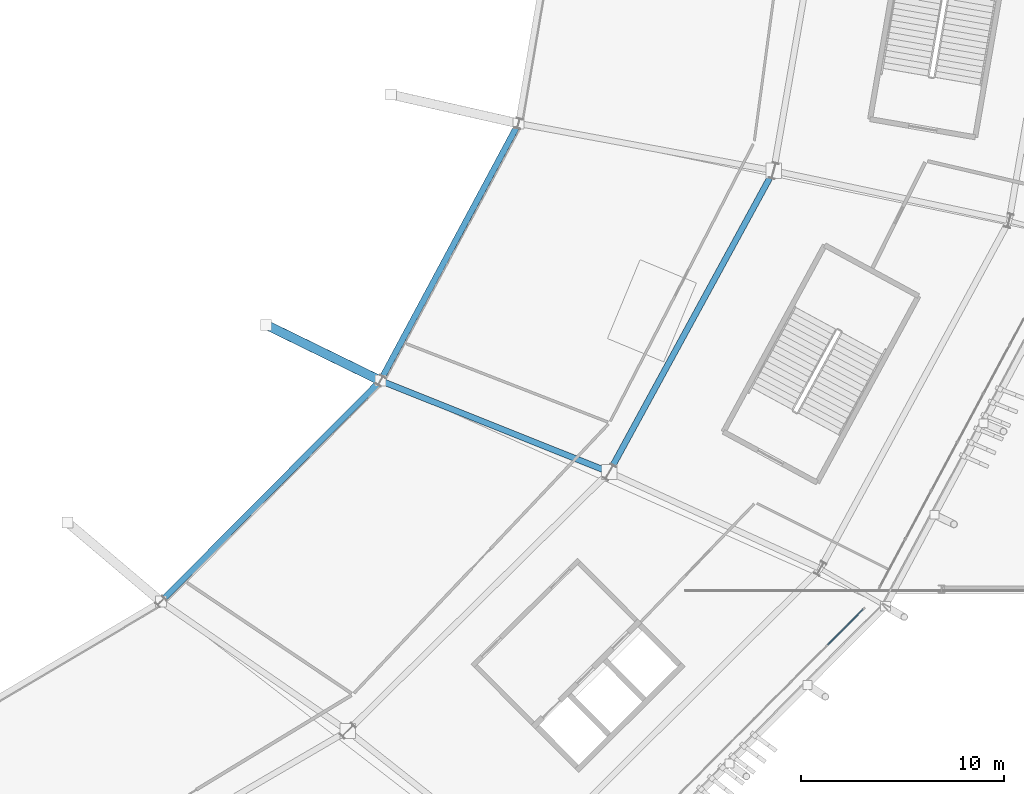
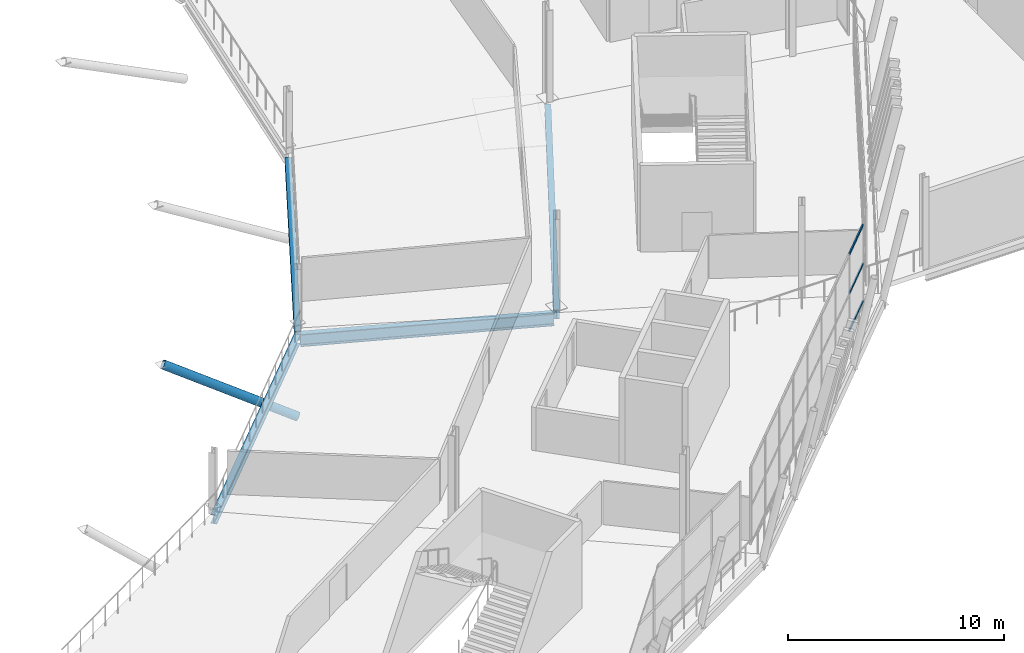
# One storey, part 54 of 168: 4 beams, 4 members, 1 element without a shape of its own.
"""IFC4 building model written with IfcOpenShell, lengths in metres."""

from ifc_helpers import new_model, si_unit, direction, frame, origin, origin_2d, place, context, subcontext, project, spatial, rectangle, hollow_circle, i_section, extrude, material, material_profile, profile_set, type_object, element, aggregate, save


model = new_model("IFC4")

# Units and contexts
model_context = context("Model", 3, precision=1e-05, world=origin(), true_north=direction((0.0, 1.0)))
body_context = subcontext(model_context, "Body", "Model", "MODEL_VIEW")
ifc_project = project(units=[si_unit("LENGTHUNIT", "METRE"), si_unit("AREAUNIT", "SQUARE_METRE"), si_unit("VOLUMEUNIT", "CUBIC_METRE"), si_unit("PLANEANGLEUNIT", "RADIAN"), si_unit("MASSUNIT", "GRAM", prefix="KILO")], contexts=[model_context])

# Site, building, storey
site_placement = place(None, origin())
site = spatial("IfcSite", under=ifc_project, at=site_placement, CompositionType="ELEMENT")
building_placement = place(site_placement, origin())
building = spatial("IfcBuilding", under=site, at=building_placement, Name="Zlatoyarsky Gate Stadium", CompositionType="ELEMENT")
storey_placement = place(building_placement, frame((0.0, 0.0, 15.60009765625)))
storey = spatial("IfcBuildingStorey", under=building, at=storey_placement, Name="L03", CompositionType="ELEMENT", Elevation=15.60009765625)

# Curtain wall, members
ifc_material_1 = material(Name="Thermally broken anodised aluminium curtain wall", Category="aluminium")
curtain_wall_type = type_object("IfcCurtainWallType", Name="UNITISED CORPORATE BOX GLAZING L03", PredefinedType="USERDEFINED", material=ifc_material_1)
curtain_wall_placement = place(storey_placement, origin())
curtain_wall = element("IfcCurtainWall", 1, at=curtain_wall_placement, inside=storey, type_object=curtain_wall_type, Name="Curtain wall CW-L03-21", ObjectType="UNITISED GLAZING", PredefinedType="USERDEFINED")
ifc_material_2 = material(Name="Anodised aluminium 6063-T6", Category="aluminium")
ifc_material_profile_1 = material_profile(ifc_material_2, rectangle(XDim=0.06494140625, YDim=0.139892578125, at=origin_2d()), Name="ALU 65X140")
ifc_profile_set_1 = profile_set([ifc_material_profile_1], Name="Anodised aluminium 6063-T6")
member_type_1 = type_object("IfcMemberType", Name="ALUMINIUM TRANSOM 65X140", PredefinedType="USERDEFINED", material=ifc_profile_set_1)
member_1_placement = place(storey_placement, frame((191.912109375, 40.760498046875, 0.032470703125), z_axis=(0.705456130135, 0.708753587967, 0.0), x_axis=(-0.708753587967, 0.705456130135, 0.0)))
member_1 = element("IfcMember", 2, at=member_1_placement, type_object=member_type_1, Name="CW-UG3 transom 8.1", ObjectType="TRANSOM", PredefinedType="USERDEFINED", context=body_context, shape_type="SweptSolid", body=[
    extrude(rectangle(XDim=0.06494140625, YDim=0.139892578125, at=origin_2d()), origin(), (0.0, 0.0, 1.0), 2.443359375),
])
member_2_placement = place(storey_placement, frame((191.912109375, 40.760498046875, 2.14990234375), z_axis=(0.705456130135, 0.708753587967, 0.0), x_axis=(-0.708753587967, 0.705456130135, 0.0)))
member_2 = element("IfcMember", 3, at=member_2_placement, type_object=member_type_1, Name="CW-UG3 transom 8.2", ObjectType="TRANSOM", PredefinedType="USERDEFINED", context=body_context, shape_type="SweptSolid", body=[
    extrude(rectangle(XDim=0.06494140625, YDim=0.139892578125, at=origin_2d()), origin(), (0.0, 0.0, 1.0), 2.443359375),
])
member_3_placement = place(storey_placement, frame((191.912109375, 40.760498046875, 4.347412109375), z_axis=(0.705456130135, 0.708753587967, 0.0), x_axis=(-0.708753587967, 0.705456130135, 0.0)))
member_3 = element("IfcMember", 4, at=member_3_placement, type_object=member_type_1, Name="CW-UG3 transom 8.3", ObjectType="TRANSOM", PredefinedType="USERDEFINED", context=body_context, shape_type="SweptSolid", body=[
    extrude(rectangle(XDim=0.06494140625, YDim=0.139892578125, at=origin_2d()), origin(), (0.0, 0.0, 1.0), 2.443359375),
])
aggregate(curtain_wall, [member_1, member_2, member_3])

# Member
ifc_material_3 = material(Name="Steel S355", Category="steel")
ifc_material_profile_2 = material_profile(ifc_material_3, hollow_circle(Radius=0.228515625, WallThickness=0.02490234375, at=origin_2d()), Name="CHS 457X25")
ifc_profile_set_2 = profile_set([ifc_material_profile_2], Name="Steel S355")
member_type_2 = type_object("IfcMemberType", Name="STEEL BACKSPAN TIE STRUT CHS 457X25", PredefinedType="STRUT", material=ifc_profile_set_2)
member_4_placement = place(storey_placement, frame((169.8896484375, 53.75, -5.0), z_axis=(-0.797580275867, 0.389640639605, 0.46048439226), x_axis=(-0.438948714008, -0.898512118154, 0.0)))
element("IfcMember", 5, at=member_4_placement, inside=storey, type_object=member_type_2, Name="Upper tier cantilever strut 22", PredefinedType="STRUT", context=body_context, shape_type="SweptSolid", body=[
    extrude(hollow_circle(Radius=0.228515625, WallThickness=0.02490234375, at=origin_2d()), origin(), (0.0, 0.0, 1.0), 7.057861328125),
])

# Beams
ifc_material_profile_3 = material_profile(ifc_material_3, i_section(OverallWidth=0.300048828125, OverallDepth=0.5, WebThickness=0.014404296875, FlangeThickness=0.028076171875, FilletRadius=0.027099609375, at=origin_2d()), Name="HEB 500")
ifc_profile_set_3 = profile_set([ifc_material_profile_3], Name="Steel S355")
beam_type_1 = type_object("IfcBeamType", Name="STEEL PRIMARY GIRDER HEB 500", PredefinedType="BEAM", material=ifc_profile_set_3)
beam_1_placement = place(storey_placement, frame((159.16796875, 42.9619140625, -0.530029296875), z_axis=(0.704927331607, 0.709279533861, 0.0), x_axis=(-0.709279533861, 0.704927331607, 0.0)))
element("IfcBeam", 6, at=beam_1_placement, inside=storey, type_object=beam_type_1, Name="Beam G-HEB500 BM-L03-CRA-21", PredefinedType="BEAM", context=body_context, shape_type="SweptSolid", body=[
    extrude(i_section(OverallWidth=0.300048828125, OverallDepth=0.5, WebThickness=0.014404296875, FlangeThickness=0.028076171875, FilletRadius=0.027099609375, at=origin_2d()), origin(), (0.0, 0.0, 1.0), 15.08984375),
])
beam_2_placement = place(storey_placement, frame((169.9462890625, 53.855712890625, -0.530029296875), z_axis=(0.472766984781, 0.881187481812, 0.0), x_axis=(-0.881187481812, 0.472766984781, 0.0)))
element("IfcBeam", 7, at=beam_2_placement, inside=storey, type_object=beam_type_1, Name="Beam G-HEB500 BM-L03-CRA-22", PredefinedType="BEAM", context=body_context, shape_type="SweptSolid", body=[
    extrude(i_section(OverallWidth=0.300048828125, OverallDepth=0.5, WebThickness=0.014404296875, FlangeThickness=0.028076171875, FilletRadius=0.027099609375, at=origin_2d()), origin(), (0.0, 0.0, 1.0), 14.12939453125),
])
beam_3_placement = place(storey_placement, frame((181.20556640625, 49.355224609375, -0.530029296875), z_axis=(0.478915800408, 0.877860840976, 0.0), x_axis=(-0.877860840976, 0.478915800408, 0.0)))
element("IfcBeam", 8, at=beam_3_placement, inside=storey, type_object=beam_type_1, Name="Beam G-HEB500 BM-L03-CRB-22", PredefinedType="BEAM", context=body_context, shape_type="SweptSolid", body=[
    extrude(i_section(OverallWidth=0.300048828125, OverallDepth=0.5, WebThickness=0.014404296875, FlangeThickness=0.028076171875, FilletRadius=0.027099609375, at=origin_2d()), origin(), (0.0, 0.0, 1.0), 16.656494140625),
])
ifc_material_profile_4 = material_profile(ifc_material_3, i_section(OverallWidth=0.300048828125, OverallDepth=0.699951171875, WebThickness=0.01708984375, FlangeThickness=0.031982421875, FilletRadius=0.027099609375, at=origin_2d()), Name="HEB 700")
ifc_profile_set_4 = profile_set([ifc_material_profile_4], Name="Steel S355")
beam_type_2 = type_object("IfcBeamType", Name="STEEL PRIMARY GIRDER HEB 700", PredefinedType="BEAM", material=ifc_profile_set_4)
beam_4_placement = place(storey_placement, frame((170.001220703125, 53.70556640625, -0.630126953125), z_axis=(0.928564503985, -0.371171068295, 0.0), x_axis=(0.371171068295, 0.928564503985, 0.0)))
element("IfcBeam", 9, at=beam_4_placement, inside=storey, type_object=beam_type_2, Name="Beam G-HEB700 BM-L03-RAB-22", PredefinedType="BEAM", context=body_context, shape_type="SweptSolid", body=[
    extrude(i_section(OverallWidth=0.300048828125, OverallDepth=0.699951171875, WebThickness=0.01708984375, FlangeThickness=0.031982421875, FilletRadius=0.027099609375, at=origin_2d()), origin(), (0.0, 0.0, 1.0), 11.88427734375),
])

save(model, "model.ifc")
